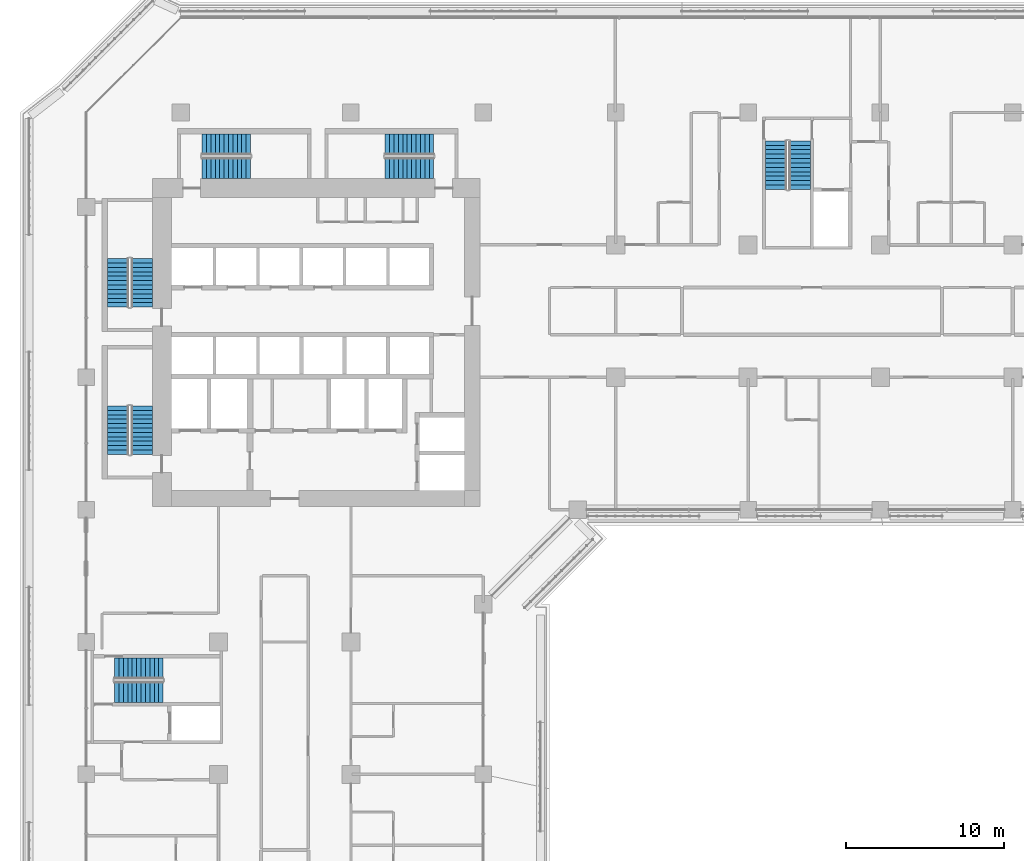
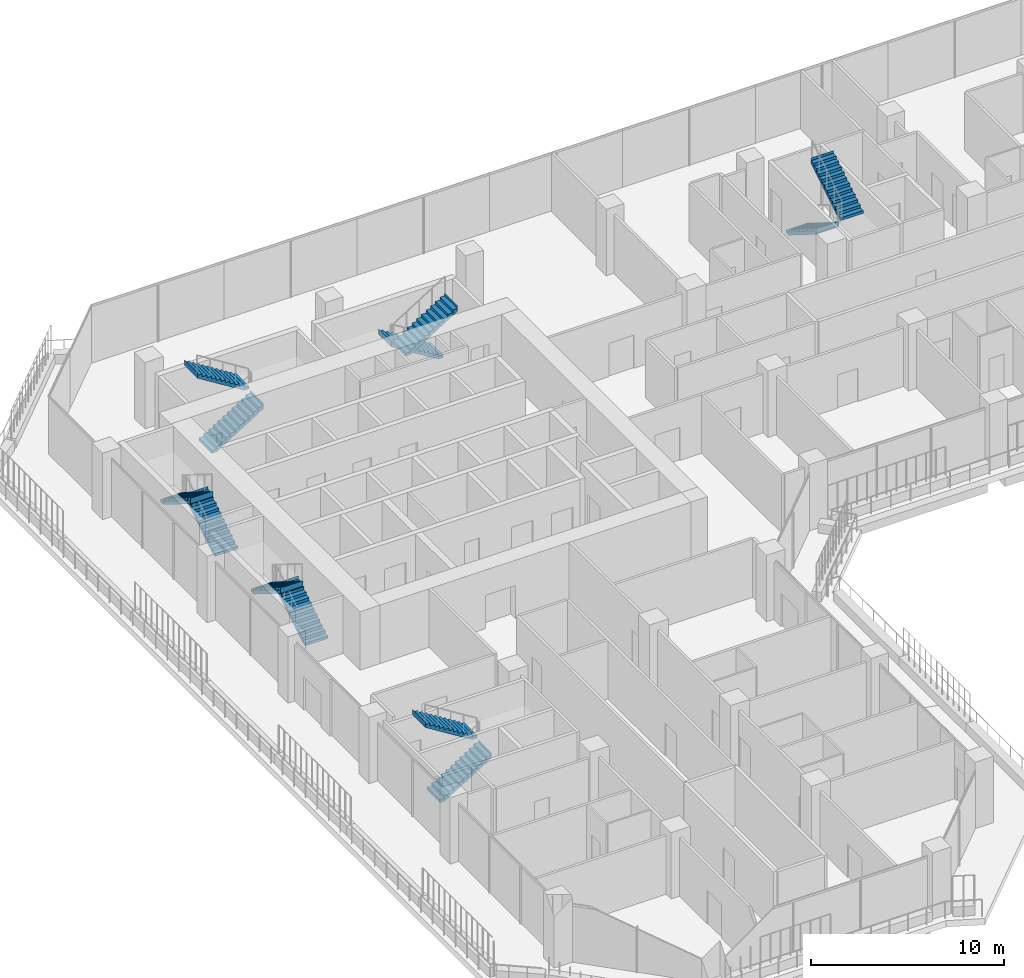
# One storey, part 17 of 23: 12 stair flights, 6 elements without a shape of their own.
"""IFC4 building model written with IfcOpenShell, lengths in metres."""

from ifc_helpers import new_model, si_unit, direction, frame, origin, place, context, subcontext, project, spatial, polyline, outline, extrude, material, type_object, element, aggregate, save


model = new_model("IFC4")

# Units and contexts
model_context = context("Model", 3, precision=1e-05, world=origin(), true_north=direction((0.0, 1.0)))
body_context = subcontext(model_context, "Body", "Model", "MODEL_VIEW")
ifc_project = project(units=[si_unit("LENGTHUNIT", "METRE"), si_unit("AREAUNIT", "SQUARE_METRE"), si_unit("VOLUMEUNIT", "CUBIC_METRE"), si_unit("PLANEANGLEUNIT", "RADIAN"), si_unit("MASSUNIT", "GRAM", prefix="KILO")], contexts=[model_context])

# Site, building, storey
site_placement = place(None, origin())
site = spatial("IfcSite", under=ifc_project, at=site_placement, CompositionType="ELEMENT")
building_placement = place(site_placement, origin())
building = spatial("IfcBuilding", under=site, at=building_placement, Name="Kawkab Arch Medical Tower", CompositionType="ELEMENT")
storey_placement = place(building_placement, frame((0.0, 0.0, 149.199951171875)))
storey = spatial("IfcBuildingStorey", under=building, at=storey_placement, Name="L34", CompositionType="ELEMENT", Elevation=149.199951171875)

# Stair, stair flights
ifc_material_1 = material(Name="Concrete C40/50", Category="concrete")
stair_type = type_object("IfcStairType", Name="Exit stair 1350", PredefinedType="HALF_TURN_STAIR", material=ifc_material_1)
placement = place(storey_placement, origin())
stair_1 = element("IfcStair", 1, at=placement, inside=storey, type_object=stair_type, Name="L34 Exit stair ST1", PredefinedType="HALF_TURN_STAIR")
ifc_material_2 = material(Name="Concrete C40/50", Category="concrete")
stair_flight_type = type_object("IfcStairFlightType", Name="Exit stair flight 1350", PredefinedType="STRAIGHT", material=ifc_material_2)
stair_flight_1_placement = place(storey_placement, frame((3.52490234375, -12.35009765625, 0.0), z_axis=(0.0, 0.0, 1.0), x_axis=(0.0, 1.0, 0.0)))
stair_flight_1 = element("IfcStairFlight", 2, at=stair_flight_1_placement, type_object=stair_flight_type, Name="ST1 flight 1", NumberOfRisers=12, NumberOfTreads=11, PredefinedType="STRAIGHT", RiserHeight=0.175, TreadLength=0.28, context=body_context, shape_type="SweptSolid", body=[
    extrude(outline(polyline([(-0.0029296875, 0.0), (-0.0029296875, 0.175048828125), (0.0, 0.175048828125), (0.280029296875, 0.175048828125), (0.280029296875, 0.35009765625), (0.56005859375, 0.35009765625), (0.56005859375, 0.52490234375), (0.840087890625, 0.52490234375), (0.840087890625, 0.699951171875), (1.1201171875, 0.699951171875), (1.1201171875, 0.875), (1.39990234375, 0.875), (1.39990234375, 1.050048828125), (1.679931640625, 1.050048828125), (1.679931640625, 1.22509765625), (1.9599609375, 1.22509765625), (1.9599609375, 1.39990234375), (2.239990234375, 1.39990234375), (2.239990234375, 1.574951171875), (2.52001953125, 1.574951171875), (2.52001953125, 1.75), (2.800048828125, 1.75), (2.800048828125, 1.925048828125), (3.080078125, 1.925048828125), (3.080078125, 2.10009765625), (3.0830078125, 2.10009765625), (3.0830078125, 1.748291015625), (3.080078125, 1.748291015625), (0.28271484375, 0.0), (-0.0029296875, 0.0)])), frame((0.0, 0.675048828125, 0.0), z_axis=(0.0, -1.0, 0.0), x_axis=(1.0, 0.0, 0.0)), (0.0, 0.0, 1.0), 1.35009765625),
])
stair_flight_2_placement = place(storey_placement, frame((2.02490234375, -9.27001953125, 2.10009765625), z_axis=(0.0, 0.0, 1.0), x_axis=(0.0, -1.0, 0.0)))
stair_flight_2 = element("IfcStairFlight", 3, at=stair_flight_2_placement, type_object=stair_flight_type, Name="ST1 flight 2", NumberOfRisers=12, NumberOfTreads=11, PredefinedType="STRAIGHT", RiserHeight=0.175, TreadLength=0.28, context=body_context, shape_type="SweptSolid", body=[
    extrude(outline(polyline([(-0.0029296875, 0.0), (-0.0029296875, 0.175048828125), (0.0, 0.175048828125), (0.280029296875, 0.175048828125), (0.280029296875, 0.35009765625), (0.56005859375, 0.35009765625), (0.56005859375, 0.52490234375), (0.840087890625, 0.52490234375), (0.840087890625, 0.699951171875), (1.1201171875, 0.699951171875), (1.1201171875, 0.875), (1.39990234375, 0.875), (1.39990234375, 1.050048828125), (1.679931640625, 1.050048828125), (1.679931640625, 1.22509765625), (1.9599609375, 1.22509765625), (1.9599609375, 1.39990234375), (2.239990234375, 1.39990234375), (2.239990234375, 1.574951171875), (2.52001953125, 1.574951171875), (2.52001953125, 1.75), (2.800048828125, 1.75), (2.800048828125, 1.925048828125), (3.080078125, 1.925048828125), (3.080078125, 2.10009765625), (3.0830078125, 2.10009765625), (3.0830078125, 1.748291015625), (3.080078125, 1.748291015625), (0.28271484375, 0.0), (-0.0029296875, 0.0)])), frame((0.0, 0.675048828125, 0.0), z_axis=(0.0, -1.0, 0.0), x_axis=(1.0, 0.0, 0.0)), (0.0, 0.0, 1.0), 1.35009765625),
])
aggregate(stair_1, [stair_flight_1, stair_flight_2])

stair_2 = element("IfcStair", 4, at=placement, inside=storey, type_object=stair_type, Name="L34 Exit stair ST2", PredefinedType="HALF_TURN_STAIR")
stair_flight_3_placement = place(storey_placement, frame((3.52490234375, -21.699951171875, 0.0), z_axis=(0.0, 0.0, 1.0), x_axis=(0.0, 1.0, 0.0)))
stair_flight_3 = element("IfcStairFlight", 5, at=stair_flight_3_placement, type_object=stair_flight_type, Name="ST2 flight 1", NumberOfRisers=12, NumberOfTreads=11, PredefinedType="STRAIGHT", RiserHeight=0.175, TreadLength=0.28, context=body_context, shape_type="SweptSolid", body=[
    extrude(outline(polyline([(-0.0029296875, 0.0), (-0.0029296875, 0.175048828125), (0.0, 0.175048828125), (0.280029296875, 0.175048828125), (0.280029296875, 0.35009765625), (0.56005859375, 0.35009765625), (0.56005859375, 0.52490234375), (0.840087890625, 0.52490234375), (0.840087890625, 0.699951171875), (1.1201171875, 0.699951171875), (1.1201171875, 0.875), (1.39990234375, 0.875), (1.39990234375, 1.050048828125), (1.679931640625, 1.050048828125), (1.679931640625, 1.22509765625), (1.9599609375, 1.22509765625), (1.9599609375, 1.39990234375), (2.239990234375, 1.39990234375), (2.239990234375, 1.574951171875), (2.52001953125, 1.574951171875), (2.52001953125, 1.75), (2.800048828125, 1.75), (2.800048828125, 1.925048828125), (3.080078125, 1.925048828125), (3.080078125, 2.10009765625), (3.0830078125, 2.10009765625), (3.0830078125, 1.748291015625), (3.080078125, 1.748291015625), (0.28271484375, 0.0), (-0.0029296875, 0.0)])), frame((0.0, 0.675048828125, 0.0), z_axis=(0.0, -1.0, 0.0), x_axis=(1.0, 0.0, 0.0)), (0.0, 0.0, 1.0), 1.35009765625),
])
stair_flight_4_placement = place(storey_placement, frame((2.02490234375, -18.6201171875, 2.10009765625), z_axis=(0.0, 0.0, 1.0), x_axis=(0.0, -1.0, 0.0)))
stair_flight_4 = element("IfcStairFlight", 6, at=stair_flight_4_placement, type_object=stair_flight_type, Name="ST2 flight 2", NumberOfRisers=12, NumberOfTreads=11, PredefinedType="STRAIGHT", RiserHeight=0.175, TreadLength=0.28, context=body_context, shape_type="SweptSolid", body=[
    extrude(outline(polyline([(-0.0029296875, 0.0), (-0.0029296875, 0.175048828125), (0.0, 0.175048828125), (0.280029296875, 0.175048828125), (0.280029296875, 0.35009765625), (0.56005859375, 0.35009765625), (0.56005859375, 0.52490234375), (0.840087890625, 0.52490234375), (0.840087890625, 0.699951171875), (1.1201171875, 0.699951171875), (1.1201171875, 0.875), (1.39990234375, 0.875), (1.39990234375, 1.050048828125), (1.679931640625, 1.050048828125), (1.679931640625, 1.22509765625), (1.9599609375, 1.22509765625), (1.9599609375, 1.39990234375), (2.239990234375, 1.39990234375), (2.239990234375, 1.574951171875), (2.52001953125, 1.574951171875), (2.52001953125, 1.75), (2.800048828125, 1.75), (2.800048828125, 1.925048828125), (3.080078125, 1.925048828125), (3.080078125, 2.10009765625), (3.0830078125, 2.10009765625), (3.0830078125, 1.748291015625), (3.080078125, 1.748291015625), (0.28271484375, 0.0), (-0.0029296875, 0.0)])), frame((0.0, 0.675048828125, 0.0), z_axis=(0.0, -1.0, 0.0), x_axis=(1.0, 0.0, 0.0)), (0.0, 0.0, 1.0), 1.35009765625),
])
aggregate(stair_2, [stair_flight_3, stair_flight_4])

stair_3 = element("IfcStair", 7, at=placement, inside=storey, type_object=stair_type, Name="L34 Exit stair ST3", PredefinedType="HALF_TURN_STAIR")
stair_flight_5_placement = place(storey_placement, frame((7.35009765625, -3.52490234375, 0.0), z_axis=(0.0, 0.0, 1.0), x_axis=(1.0, 0.0, 0.0)))
stair_flight_5 = element("IfcStairFlight", 8, at=stair_flight_5_placement, type_object=stair_flight_type, Name="ST3 flight 1", NumberOfRisers=12, NumberOfTreads=11, PredefinedType="STRAIGHT", RiserHeight=0.175, TreadLength=0.28, context=body_context, shape_type="SweptSolid", body=[
    extrude(outline(polyline([(-0.0029296875, 0.0), (-0.0029296875, 0.175048828125), (0.0, 0.175048828125), (0.280029296875, 0.175048828125), (0.280029296875, 0.35009765625), (0.56005859375, 0.35009765625), (0.56005859375, 0.52490234375), (0.840087890625, 0.52490234375), (0.840087890625, 0.699951171875), (1.1201171875, 0.699951171875), (1.1201171875, 0.875), (1.39990234375, 0.875), (1.39990234375, 1.050048828125), (1.679931640625, 1.050048828125), (1.679931640625, 1.22509765625), (1.9599609375, 1.22509765625), (1.9599609375, 1.39990234375), (2.239990234375, 1.39990234375), (2.239990234375, 1.574951171875), (2.52001953125, 1.574951171875), (2.52001953125, 1.75), (2.800048828125, 1.75), (2.800048828125, 1.925048828125), (3.080078125, 1.925048828125), (3.080078125, 2.10009765625), (3.0830078125, 2.10009765625), (3.0830078125, 1.748291015625), (3.080078125, 1.748291015625), (0.28271484375, 0.0), (-0.0029296875, 0.0)])), frame((0.0, 0.675048828125, 0.0), z_axis=(0.0, -1.0, 0.0), x_axis=(1.0, 0.0, 0.0)), (0.0, 0.0, 1.0), 1.35009765625),
])
stair_flight_6_placement = place(storey_placement, frame((10.429931640625, -2.02490234375, 2.10009765625), z_axis=(0.0, 0.0, 1.0), x_axis=(-1.0, 0.0, 0.0)))
stair_flight_6 = element("IfcStairFlight", 9, at=stair_flight_6_placement, type_object=stair_flight_type, Name="ST3 flight 2", NumberOfRisers=12, NumberOfTreads=11, PredefinedType="STRAIGHT", RiserHeight=0.175, TreadLength=0.28, context=body_context, shape_type="SweptSolid", body=[
    extrude(outline(polyline([(-0.0029296875, 0.0), (-0.0029296875, 0.175048828125), (0.0, 0.175048828125), (0.280029296875, 0.175048828125), (0.280029296875, 0.35009765625), (0.56005859375, 0.35009765625), (0.56005859375, 0.52490234375), (0.840087890625, 0.52490234375), (0.840087890625, 0.699951171875), (1.1201171875, 0.699951171875), (1.1201171875, 0.875), (1.39990234375, 0.875), (1.39990234375, 1.050048828125), (1.679931640625, 1.050048828125), (1.679931640625, 1.22509765625), (1.9599609375, 1.22509765625), (1.9599609375, 1.39990234375), (2.239990234375, 1.39990234375), (2.239990234375, 1.574951171875), (2.52001953125, 1.574951171875), (2.52001953125, 1.75), (2.800048828125, 1.75), (2.800048828125, 1.925048828125), (3.080078125, 1.925048828125), (3.080078125, 2.10009765625), (3.0830078125, 2.10009765625), (3.0830078125, 1.748291015625), (3.080078125, 1.748291015625), (0.28271484375, 0.0), (-0.0029296875, 0.0)])), frame((0.0, 0.675048828125, 0.0), z_axis=(0.0, -1.0, 0.0), x_axis=(1.0, 0.0, 0.0)), (0.0, 0.0, 1.0), 1.35009765625),
])
aggregate(stair_3, [stair_flight_5, stair_flight_6])

stair_4 = element("IfcStair", 10, at=placement, inside=storey, type_object=stair_type, Name="L34 Exit stair ST4", PredefinedType="HALF_TURN_STAIR")
stair_flight_7_placement = place(storey_placement, frame((22.050048828125, -2.02490234375, 0.0), z_axis=(0.0, 0.0, 1.0), x_axis=(-1.0, 0.0, 0.0)))
stair_flight_7 = element("IfcStairFlight", 11, at=stair_flight_7_placement, type_object=stair_flight_type, Name="ST4 flight 1", NumberOfRisers=12, NumberOfTreads=11, PredefinedType="STRAIGHT", RiserHeight=0.175, TreadLength=0.28, context=body_context, shape_type="SweptSolid", body=[
    extrude(outline(polyline([(-0.0029296875, 0.0), (-0.0029296875, 0.175048828125), (0.0, 0.175048828125), (0.280029296875, 0.175048828125), (0.280029296875, 0.35009765625), (0.56005859375, 0.35009765625), (0.56005859375, 0.52490234375), (0.840087890625, 0.52490234375), (0.840087890625, 0.699951171875), (1.1201171875, 0.699951171875), (1.1201171875, 0.875), (1.39990234375, 0.875), (1.39990234375, 1.050048828125), (1.679931640625, 1.050048828125), (1.679931640625, 1.22509765625), (1.9599609375, 1.22509765625), (1.9599609375, 1.39990234375), (2.239990234375, 1.39990234375), (2.239990234375, 1.574951171875), (2.52001953125, 1.574951171875), (2.52001953125, 1.75), (2.800048828125, 1.75), (2.800048828125, 1.925048828125), (3.080078125, 1.925048828125), (3.080078125, 2.10009765625), (3.0830078125, 2.10009765625), (3.0830078125, 1.748291015625), (3.080078125, 1.748291015625), (0.28271484375, 0.0), (-0.0029296875, 0.0)])), frame((0.0, 0.675048828125, 0.0), z_axis=(0.0, -1.0, 0.0), x_axis=(1.0, 0.0, 0.0)), (0.0, 0.0, 1.0), 1.35009765625),
])
stair_flight_8_placement = place(storey_placement, frame((18.969970703125, -3.52490234375, 2.10009765625), z_axis=(0.0, 0.0, 1.0), x_axis=(1.0, 0.0, 0.0)))
stair_flight_8 = element("IfcStairFlight", 12, at=stair_flight_8_placement, type_object=stair_flight_type, Name="ST4 flight 2", NumberOfRisers=12, NumberOfTreads=11, PredefinedType="STRAIGHT", RiserHeight=0.175, TreadLength=0.28, context=body_context, shape_type="SweptSolid", body=[
    extrude(outline(polyline([(-0.0029296875, 0.0), (-0.0029296875, 0.175048828125), (0.0, 0.175048828125), (0.280029296875, 0.175048828125), (0.280029296875, 0.35009765625), (0.56005859375, 0.35009765625), (0.56005859375, 0.52490234375), (0.840087890625, 0.52490234375), (0.840087890625, 0.699951171875), (1.1201171875, 0.699951171875), (1.1201171875, 0.875), (1.39990234375, 0.875), (1.39990234375, 1.050048828125), (1.679931640625, 1.050048828125), (1.679931640625, 1.22509765625), (1.9599609375, 1.22509765625), (1.9599609375, 1.39990234375), (2.239990234375, 1.39990234375), (2.239990234375, 1.574951171875), (2.52001953125, 1.574951171875), (2.52001953125, 1.75), (2.800048828125, 1.75), (2.800048828125, 1.925048828125), (3.080078125, 1.925048828125), (3.080078125, 2.10009765625), (3.0830078125, 2.10009765625), (3.0830078125, 1.748291015625), (3.080078125, 1.748291015625), (0.28271484375, 0.0), (-0.0029296875, 0.0)])), frame((0.0, 0.675048828125, 0.0), z_axis=(0.0, -1.0, 0.0), x_axis=(1.0, 0.0, 0.0)), (0.0, 0.0, 1.0), 1.35009765625),
])
aggregate(stair_4, [stair_flight_7, stair_flight_8])

stair_5 = element("IfcStair", 13, at=placement, inside=storey, type_object=stair_type, Name="L34 Exit stair ST5", PredefinedType="HALF_TURN_STAIR")
stair_flight_9_placement = place(storey_placement, frame((43.77490234375, -1.800048828125, 0.0), z_axis=(0.0, 0.0, 1.0), x_axis=(0.0, -1.0, 0.0)))
stair_flight_9 = element("IfcStairFlight", 14, at=stair_flight_9_placement, type_object=stair_flight_type, Name="ST5 flight 1", NumberOfRisers=12, NumberOfTreads=11, PredefinedType="STRAIGHT", RiserHeight=0.175, TreadLength=0.28, context=body_context, shape_type="SweptSolid", body=[
    extrude(outline(polyline([(-0.0029296875, 0.0), (-0.0029296875, 0.175048828125), (0.0, 0.175048828125), (0.280029296875, 0.175048828125), (0.280029296875, 0.35009765625), (0.56005859375, 0.35009765625), (0.56005859375, 0.52490234375), (0.840087890625, 0.52490234375), (0.840087890625, 0.699951171875), (1.1201171875, 0.699951171875), (1.1201171875, 0.875), (1.39990234375, 0.875), (1.39990234375, 1.050048828125), (1.679931640625, 1.050048828125), (1.679931640625, 1.22509765625), (1.9599609375, 1.22509765625), (1.9599609375, 1.39990234375), (2.239990234375, 1.39990234375), (2.239990234375, 1.574951171875), (2.52001953125, 1.574951171875), (2.52001953125, 1.75), (2.800048828125, 1.75), (2.800048828125, 1.925048828125), (3.080078125, 1.925048828125), (3.080078125, 2.10009765625), (3.0830078125, 2.10009765625), (3.0830078125, 1.748291015625), (3.080078125, 1.748291015625), (0.28271484375, 0.0), (-0.0029296875, 0.0)])), frame((0.0, 0.675048828125, 0.0), z_axis=(0.0, -1.0, 0.0), x_axis=(1.0, 0.0, 0.0)), (0.0, 0.0, 1.0), 1.35009765625),
])
stair_flight_10_placement = place(storey_placement, frame((45.27490234375, -4.8798828125, 2.10009765625), z_axis=(0.0, 0.0, 1.0), x_axis=(0.0, 1.0, 0.0)))
stair_flight_10 = element("IfcStairFlight", 15, at=stair_flight_10_placement, type_object=stair_flight_type, Name="ST5 flight 2", NumberOfRisers=12, NumberOfTreads=11, PredefinedType="STRAIGHT", RiserHeight=0.175, TreadLength=0.28, context=body_context, shape_type="SweptSolid", body=[
    extrude(outline(polyline([(-0.0029296875, 0.0), (-0.0029296875, 0.175048828125), (0.0, 0.175048828125), (0.280029296875, 0.175048828125), (0.280029296875, 0.35009765625), (0.56005859375, 0.35009765625), (0.56005859375, 0.52490234375), (0.840087890625, 0.52490234375), (0.840087890625, 0.699951171875), (1.1201171875, 0.699951171875), (1.1201171875, 0.875), (1.39990234375, 0.875), (1.39990234375, 1.050048828125), (1.679931640625, 1.050048828125), (1.679931640625, 1.22509765625), (1.9599609375, 1.22509765625), (1.9599609375, 1.39990234375), (2.239990234375, 1.39990234375), (2.239990234375, 1.574951171875), (2.52001953125, 1.574951171875), (2.52001953125, 1.75), (2.800048828125, 1.75), (2.800048828125, 1.925048828125), (3.080078125, 1.925048828125), (3.080078125, 2.10009765625), (3.0830078125, 2.10009765625), (3.0830078125, 1.748291015625), (3.080078125, 1.748291015625), (0.28271484375, 0.0), (-0.0029296875, 0.0)])), frame((0.0, 0.675048828125, 0.0), z_axis=(0.0, -1.0, 0.0), x_axis=(1.0, 0.0, 0.0)), (0.0, 0.0, 1.0), 1.35009765625),
])
aggregate(stair_5, [stair_flight_9, stair_flight_10])

stair_6 = element("IfcStair", 16, at=placement, inside=storey, type_object=stair_type, Name="L34 Exit stair ST6", PredefinedType="HALF_TURN_STAIR")
stair_flight_11_placement = place(storey_placement, frame((1.800048828125, -36.77490234375, 0.0), z_axis=(0.0, 0.0, 1.0), x_axis=(1.0, 0.0, 0.0)))
stair_flight_11 = element("IfcStairFlight", 17, at=stair_flight_11_placement, type_object=stair_flight_type, Name="ST6 flight 1", NumberOfRisers=12, NumberOfTreads=11, PredefinedType="STRAIGHT", RiserHeight=0.175, TreadLength=0.28, context=body_context, shape_type="SweptSolid", body=[
    extrude(outline(polyline([(-0.0029296875, 0.0), (-0.0029296875, 0.175048828125), (0.0, 0.175048828125), (0.280029296875, 0.175048828125), (0.280029296875, 0.35009765625), (0.56005859375, 0.35009765625), (0.56005859375, 0.52490234375), (0.840087890625, 0.52490234375), (0.840087890625, 0.699951171875), (1.1201171875, 0.699951171875), (1.1201171875, 0.875), (1.39990234375, 0.875), (1.39990234375, 1.050048828125), (1.679931640625, 1.050048828125), (1.679931640625, 1.22509765625), (1.9599609375, 1.22509765625), (1.9599609375, 1.39990234375), (2.239990234375, 1.39990234375), (2.239990234375, 1.574951171875), (2.52001953125, 1.574951171875), (2.52001953125, 1.75), (2.800048828125, 1.75), (2.800048828125, 1.925048828125), (3.080078125, 1.925048828125), (3.080078125, 2.10009765625), (3.0830078125, 2.10009765625), (3.0830078125, 1.748291015625), (3.080078125, 1.748291015625), (0.28271484375, 0.0), (-0.0029296875, 0.0)])), frame((0.0, 0.675048828125, 0.0), z_axis=(0.0, -1.0, 0.0), x_axis=(1.0, 0.0, 0.0)), (0.0, 0.0, 1.0), 1.35009765625),
])
stair_flight_12_placement = place(storey_placement, frame((4.8798828125, -35.27490234375, 2.10009765625), z_axis=(0.0, 0.0, 1.0), x_axis=(-1.0, 0.0, 0.0)))
stair_flight_12 = element("IfcStairFlight", 18, at=stair_flight_12_placement, type_object=stair_flight_type, Name="ST6 flight 2", NumberOfRisers=12, NumberOfTreads=11, PredefinedType="STRAIGHT", RiserHeight=0.175, TreadLength=0.28, context=body_context, shape_type="SweptSolid", body=[
    extrude(outline(polyline([(-0.0029296875, 0.0), (-0.0029296875, 0.175048828125), (0.0, 0.175048828125), (0.280029296875, 0.175048828125), (0.280029296875, 0.35009765625), (0.56005859375, 0.35009765625), (0.56005859375, 0.52490234375), (0.840087890625, 0.52490234375), (0.840087890625, 0.699951171875), (1.1201171875, 0.699951171875), (1.1201171875, 0.875), (1.39990234375, 0.875), (1.39990234375, 1.050048828125), (1.679931640625, 1.050048828125), (1.679931640625, 1.22509765625), (1.9599609375, 1.22509765625), (1.9599609375, 1.39990234375), (2.239990234375, 1.39990234375), (2.239990234375, 1.574951171875), (2.52001953125, 1.574951171875), (2.52001953125, 1.75), (2.800048828125, 1.75), (2.800048828125, 1.925048828125), (3.080078125, 1.925048828125), (3.080078125, 2.10009765625), (3.0830078125, 2.10009765625), (3.0830078125, 1.748291015625), (3.080078125, 1.748291015625), (0.28271484375, 0.0), (-0.0029296875, 0.0)])), frame((0.0, 0.675048828125, 0.0), z_axis=(0.0, -1.0, 0.0), x_axis=(1.0, 0.0, 0.0)), (0.0, 0.0, 1.0), 1.35009765625),
])
aggregate(stair_6, [stair_flight_11, stair_flight_12])

save(model, "model.ifc")
